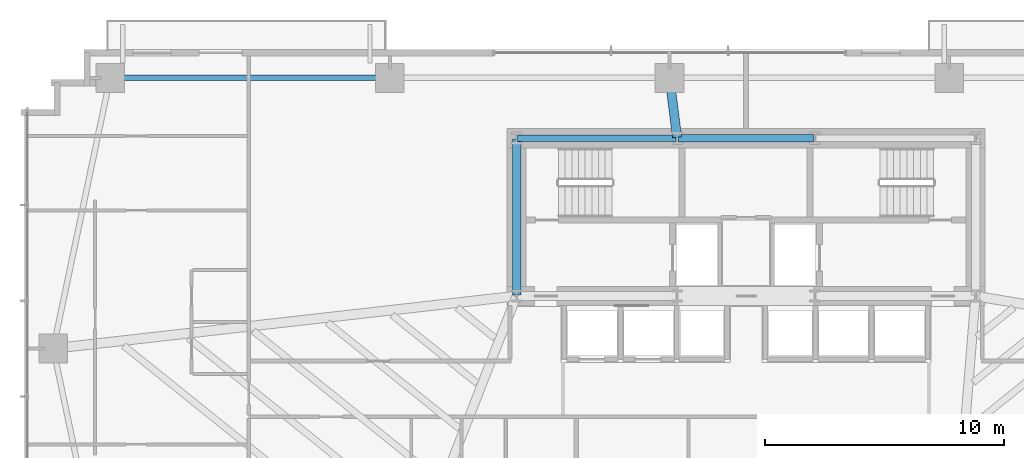
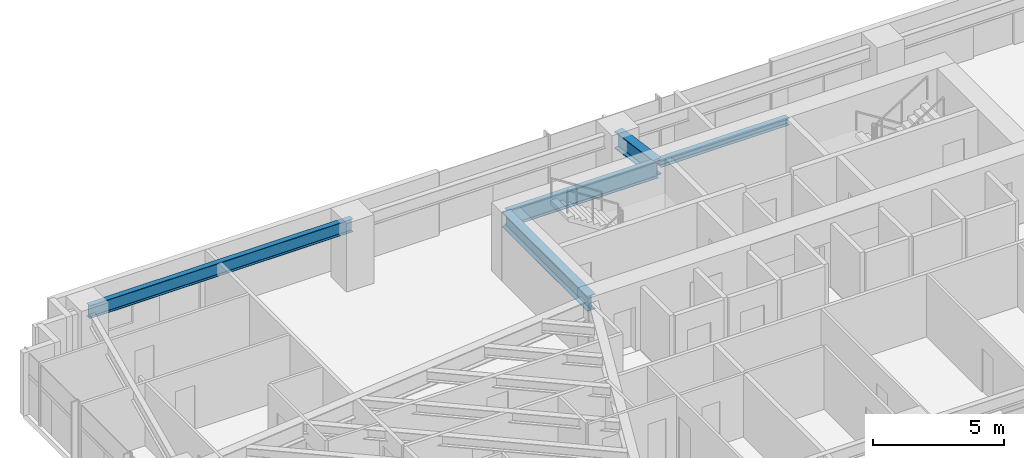
# One storey, part 9 of 25: 5 beams.
"""IFC4 building model written with IfcOpenShell, lengths in metres."""

import ifcopenshell
import ifcopenshell.guid

model = None  # the IFC model being written
_history = None  # IfcOwnerHistory: only IFC2X3 demands one
_inside = {}  # id of a spatial element -> (the spatial element, [elements in it])
_under = {}  # id of a project, library or spatial element -> (it, [spatial elements below it])
_declared = {}  # id of a project -> (the project, [libraries it declares])
_typed = {}  # id of a type object -> (the type object, [elements of that type])
_made_of = {}  # id of a material, layer set ... -> (it, [elements and type objects made of it])


def new_model(schema):
    """Start an empty IFC model of exactly this schema.

    Asked for "IFC4X3", IfcOpenShell would pick the latest addendum, in which some entities
    have other attributes; the version numbers below select the first issue.
    IFC2X3 requires an IfcOwnerHistory on every rooted entity: one is made here for all.
    """
    global model, _history
    if schema == "IFC4X3":
        model = ifcopenshell.file(schema_version=(4, 3, 0, 0))
    else:
        model = ifcopenshell.file(schema=schema)
    _inside.clear()
    _under.clear()
    _declared.clear()
    _typed.clear()
    _made_of.clear()
    _history = None
    if model.schema == "IFC2X3":
        org = make("IfcOrganization", Name="unknown")
        user = make(
            "IfcPersonAndOrganization",
            ThePerson=make("IfcPerson", FamilyName="unknown"),
            TheOrganization=org,
        )
        app = make(
            "IfcApplication",
            ApplicationDeveloper=org,
            Version="unknown",
            ApplicationFullName="unknown",
            ApplicationIdentifier="unknown",
        )
        _history = make(
            "IfcOwnerHistory",
            OwningUser=user,
            OwningApplication=app,
            ChangeAction="ADDED",
            CreationDate=0,
        )
    return model


def make(cls, **values):
    """One entity of the class cls with the attributes given. An attribute that is None is left unset."""
    return model.create_entity(
        cls, **{name: value for name, value in values.items() if value is not None}
    )


def rooted(cls, **values):
    """An entity with a GlobalId (a new one), such as an element, a storey or a relation."""
    return make(cls, GlobalId=ifcopenshell.guid.new(), OwnerHistory=_history, **values)


def si_unit(unit_type, name, prefix=None):
    """IfcSIUnit, for example si_unit("LENGTHUNIT", "METRE", prefix="MILLI")."""
    return make("IfcSIUnit", UnitType=unit_type, Prefix=prefix, Name=name)


def assignment(units):
    """IfcUnitAssignment: the units of a project."""
    return None if units is None else make("IfcUnitAssignment", Units=units)


def point(xyz):
    """IfcCartesianPoint."""
    return None if xyz is None else make("IfcCartesianPoint", Coordinates=xyz)


def direction(xyz):
    """IfcDirection."""
    return None if xyz is None else make("IfcDirection", DirectionRatios=xyz)


def frame(location, z_axis=None, x_axis=None):
    """IfcAxis2Placement3D, a coordinate frame: its origin and axes. An axis left out is left unset."""
    return make(
        "IfcAxis2Placement3D",
        Location=point(location),
        Axis=direction(z_axis),
        RefDirection=direction(x_axis),
    )


def frame_2d(location, x_axis=None):
    """IfcAxis2Placement2D, a coordinate frame in the plane: its origin and x axis."""
    return make(
        "IfcAxis2Placement2D", Location=point(location), RefDirection=direction(x_axis)
    )


def origin():
    """The frame at (0, 0, 0) with its axes left unset."""
    return frame((0.0, 0.0, 0.0))


def origin_2d():
    """The frame at (0, 0) in the plane with its x axis left unset."""
    return frame_2d((0.0, 0.0))


def place(relative_to, where):
    """IfcLocalPlacement: puts the frame where relative to a parent placement (None: the world)."""
    return make(
        "IfcLocalPlacement", PlacementRelTo=relative_to, RelativePlacement=where
    )


def context(
    kind, dimensions, precision=None, world=None, true_north=None, identifier=None
):
    """IfcGeometricRepresentationContext, for example the 3D "Model" context."""
    return make(
        "IfcGeometricRepresentationContext",
        ContextIdentifier=identifier,
        ContextType=kind,
        CoordinateSpaceDimension=dimensions,
        Precision=precision,
        WorldCoordinateSystem=world,
        TrueNorth=true_north,
    )


def subcontext(parent, identifier, kind, view, scale=None):
    """IfcGeometricRepresentationSubContext, for example "Body" below "Model"."""
    return make(
        "IfcGeometricRepresentationSubContext",
        ContextIdentifier=identifier,
        ContextType=kind,
        ParentContext=parent,
        TargetScale=scale,
        TargetView=view,
    )


def project(units=None, contexts=None):
    """IfcProject with its units and contexts."""
    return rooted(
        "IfcProject",
        Name="project",
        RepresentationContexts=contexts,
        UnitsInContext=assignment(units),
    )


def spatial(cls, under=None, at=None, **own):
    """A site, building, storey or space (cls), placed at a placement, below another one or the project."""
    s = rooted(cls, ObjectPlacement=at, **own)
    if under is not None:
        _under.setdefault(under.id(), (under, []))[1].append(s)
    return s


def profile(cls, at=None, kind="AREA", **sizes):
    """A parametric profile (cls). Its sizes go by their IFC names, for example OverallWidth=200.0."""
    return make(cls, ProfileType=kind, Position=at, **sizes)


def i_section(**sizes):
    """IfcIShapeProfileDef."""
    return profile("IfcIShapeProfileDef", **sizes)


def extrude(swept, where, along, depth):
    """IfcExtrudedAreaSolid: the profile swept, set in the frame where, extruded along a direction by depth."""
    return make(
        "IfcExtrudedAreaSolid",
        SweptArea=swept,
        Position=where,
        ExtrudedDirection=direction(along),
        Depth=depth,
    )


def shape(context_of_items, identifier, shape_type, items):
    """IfcShapeRepresentation: the items that make up one representation, for example the "Body"."""
    return make(
        "IfcShapeRepresentation",
        ContextOfItems=context_of_items,
        RepresentationIdentifier=identifier,
        RepresentationType=shape_type,
        Items=items,
    )


def source(mapping_origin, context_of_items, identifier, shape_type, items):
    """IfcRepresentationMap: a shape defined once, which mapped items show again and again."""
    return make(
        "IfcRepresentationMap",
        MappingOrigin=mapping_origin,
        MappedRepresentation=shape(context_of_items, identifier, shape_type, items),
    )


def transform(
    local_origin,
    x_axis=None,
    y_axis=None,
    z_axis=None,
    scale=None,
    scale2=None,
    scale3=None,
    uniform=True,
):
    """IfcCartesianTransformationOperator3D, or its non-uniform kind. x_axis, y_axis, z_axis: its Axis1, 2, 3."""
    if uniform:
        return make(
            "IfcCartesianTransformationOperator3D",
            Axis1=direction(x_axis),
            Axis2=direction(y_axis),
            LocalOrigin=point(local_origin),
            Scale=scale,
            Axis3=direction(z_axis),
        )
    return make(
        "IfcCartesianTransformationOperator3DnonUniform",
        Axis1=direction(x_axis),
        Axis2=direction(y_axis),
        LocalOrigin=point(local_origin),
        Scale=scale,
        Axis3=direction(z_axis),
        Scale2=scale2,
        Scale3=scale3,
    )


def mapped(mapping_source, mapping_target):
    """IfcMappedItem: shows the shape of a source again, moved by a transform."""
    return make(
        "IfcMappedItem", MappingSource=mapping_source, MappingTarget=mapping_target
    )


def material(Name=None, Category=None):
    """IfcMaterial."""
    return make("IfcMaterial", Name=Name, Category=Category)


def material_profile(
    of_material, cross_section, Name=None, Category=None, Priority=None
):
    """IfcMaterialProfile: a cross section and its material."""
    return make(
        "IfcMaterialProfile",
        Name=Name,
        Material=of_material,
        Profile=cross_section,
        Priority=Priority,
        Category=Category,
    )


def profile_set(profiles, Name=None, composite=None):
    """IfcMaterialProfileSet."""
    return make(
        "IfcMaterialProfileSet",
        Name=Name,
        MaterialProfiles=profiles,
        CompositeProfile=composite,
    )


def made_of(thing, what):
    """Note that an element or type object is made of a material, layer set ...; save() writes the relation."""
    if what is not None:
        _made_of.setdefault(what.id(), (what, []))[1].append(thing)
    return thing


def type_object(cls, material=None, **own):
    """A type object (cls), such as IfcWallType, which elements share."""
    return made_of(rooted(cls, **own), material)


def type_shapes(of_type, sources):
    """Give a type object the sources (RepresentationMaps) that its elements show as mapped items."""
    of_type.RepresentationMaps = sources


def element(
    cls,
    number,
    at=None,
    inside=None,
    cuts=None,
    type_object=None,
    material=None,
    context=None,
    identifier="Body",
    shape_type=None,
    held_by="IfcProductDefinitionShape",
    body=None,
    shapes=None,
    **own,
):
    """One element of the class cls, such as IfcWall. Its Tag is "e" and its number.

    at: its placement. inside: the storey or other place that contains it. cuts: it is an
    opening in that element (IfcRelVoidsElement). A single representation is given by context,
    identifier, shape_type and body (its items); several are given by shapes. held_by: the class
    of the entity that holds the representations. save() writes the other relations.
    """
    e = rooted(cls, Tag="e%d" % number, ObjectPlacement=at, **own)
    if body is not None:
        shapes = [shape(context, identifier, shape_type, body)]
    if shapes is not None:
        e.Representation = make(held_by, Representations=shapes)
    if inside is not None:
        _inside.setdefault(inside.id(), (inside, []))[1].append(e)
    if cuts is not None:
        rooted(
            "IfcRelVoidsElement", RelatingBuildingElement=cuts, RelatedOpeningElement=e
        )
    if type_object is not None:
        _typed.setdefault(type_object.id(), (type_object, []))[1].append(e)
    return made_of(e, material)


def aggregate(whole, parts):
    """IfcRelAggregates: a whole, such as a stair, and the parts it consists of."""
    return rooted("IfcRelAggregates", RelatingObject=whole, RelatedObjects=parts)


def save(model, path):
    """Write the relations noted so far, then the file.

    IfcRelAggregates (storeys below a building ...), IfcRelContainedInSpatialStructure (elements
    in a storey), IfcRelDefinesByType, IfcRelAssociatesMaterial and IfcRelDeclares: one each for
    every whole, place, type object, material and project.
    """
    for whole, parts in _under.values():
        aggregate(whole, parts)
    for where, things in _inside.values():
        rooted(
            "IfcRelContainedInSpatialStructure",
            RelatedElements=things,
            RelatingStructure=where,
        )
    for kind, things in _typed.values():
        rooted("IfcRelDefinesByType", RelatedObjects=things, RelatingType=kind)
    for what, things in _made_of.values():
        rooted("IfcRelAssociatesMaterial", RelatedObjects=things, RelatingMaterial=what)
    for by, libraries in _declared.values():
        rooted("IfcRelDeclares", RelatingContext=by, RelatedDefinitions=libraries)
    model.write(path)


model = new_model("IFC4")

# Units and contexts
model_context = context("Model", 3, precision=1e-05, world=origin(), true_north=direction((0.0, 1.0)))
body_context = subcontext(model_context, "Body", "Model", "MODEL_VIEW")
ifc_project = project(units=[si_unit("LENGTHUNIT", "METRE"), si_unit("AREAUNIT", "SQUARE_METRE"), si_unit("VOLUMEUNIT", "CUBIC_METRE"), si_unit("PLANEANGLEUNIT", "RADIAN"), si_unit("MASSUNIT", "GRAM", prefix="KILO")], contexts=[model_context])

# Site, building, storey
site_placement = place(None, origin())
site = spatial("IfcSite", under=ifc_project, at=site_placement, CompositionType="ELEMENT")
building_placement = place(site_placement, origin())
building = spatial("IfcBuilding", under=site, at=building_placement, Name="Astriad Promenade Condominiums", CompositionType="ELEMENT")
storey_placement = place(building_placement, frame((0.0, 0.0, 26.199951171875)))
storey = spatial("IfcBuildingStorey", under=building, at=storey_placement, Name="L06", CompositionType="ELEMENT", Elevation=26.199951171875)

# Beams
ifc_material = material(Name="Steel ASTM A992 Grade 50", Category="steel")
ifc_material_profile_1 = material_profile(ifc_material, i_section(OverallWidth=0.267822265625, OverallDepth=0.76953125, WebThickness=0.015625, FlangeThickness=0.025390625, FilletRadius=0.021484375, at=origin_2d()), Name="W30X132")
ifc_profile_set_1 = profile_set([ifc_material_profile_1], Name="Steel ASTM A992 Grade 50")
beam_type_1 = type_object("IfcBeamType", Name="STEEL FLOOR GIRDER W30X132", PredefinedType="BEAM", material=ifc_profile_set_1)
shared_shape_1 = source(origin(), body_context, "Body", "SweptSolid", [
    extrude(i_section(OverallWidth=0.267822265625, OverallDepth=0.76953125, WebThickness=0.015625, FlangeThickness=0.025390625, FilletRadius=0.021484375, at=origin_2d()), origin(), (0.0, 0.0, 1.0), 6.64013671875),
])
type_shapes(beam_type_1, [shared_shape_1])
beam_1_placement = place(storey_placement, frame((26.43994140625, 24.0, 2.55517578125), z_axis=(1.0, 0.0, 0.0), x_axis=(0.0, 1.0, 0.0)))
element("IfcBeam", 1, at=beam_1_placement, inside=storey, type_object=beam_type_1, Name="Core Ring Beam CG-N1-L06", PredefinedType="BEAM", context=body_context, shape_type="MappedRepresentation", body=[
    mapped(shared_shape_1, transform((0.0, 0.0, 0.0), scale=1.0)),
])
ifc_material_profile_2 = material_profile(ifc_material, i_section(OverallWidth=0.3046875, OverallDepth=0.307861328125, WebThickness=0.010009765625, FlangeThickness=0.015380859375, FilletRadius=0.01513671875, at=origin_2d()), Name="W12X65")
ifc_profile_set_2 = profile_set([ifc_material_profile_2], Name="Steel ASTM A992 Grade 50")
beam_type_2 = type_object("IfcBeamType", Name="STEEL OPENING LINTEL W12X65", PredefinedType="LINTEL", material=ifc_profile_set_2)
shared_shape_2 = source(origin(), body_context, "Body", "SweptSolid", [
    extrude(i_section(OverallWidth=0.3046875, OverallDepth=0.307861328125, WebThickness=0.010009765625, FlangeThickness=0.015380859375, FilletRadius=0.01513671875, at=origin_2d()), origin(), (0.0, 0.0, 1.0), 5.68017578125),
])
type_shapes(beam_type_2, [shared_shape_2])
beam_2_placement = place(storey_placement, frame((33.159912109375, 24.0, 2.7861328125), z_axis=(1.0, 0.0, 0.0), x_axis=(0.0, 1.0, 0.0)))
element("IfcBeam", 2, at=beam_2_placement, inside=storey, type_object=beam_type_2, Name="Core Ring Beam CG-N2-L06", PredefinedType="LINTEL", context=body_context, shape_type="MappedRepresentation", body=[
    mapped(shared_shape_2, transform((0.0, 0.0, 0.0), scale=1.0)),
])
ifc_material_profile_3 = material_profile(ifc_material, i_section(OverallWidth=0.35791015625, OverallDepth=0.706298828125, WebThickness=0.018310546875, FlangeThickness=0.0302734375, FilletRadius=0.020263671875, at=origin_2d()), Name="W27X178")
ifc_profile_set_3 = profile_set([ifc_material_profile_3], Name="Steel ASTM A992 Grade 50")
beam_type_3 = type_object("IfcBeamType", Name="STEEL FLOOR GIRDER W27X178", PredefinedType="BEAM", material=ifc_profile_set_3)
shared_shape_3 = source(origin(), body_context, "Body", "SweptSolid", [
    extrude(i_section(OverallWidth=0.35791015625, OverallDepth=0.706298828125, WebThickness=0.018310546875, FlangeThickness=0.0302734375, FilletRadius=0.020263671875, at=origin_2d()), origin(), (0.0, 0.0, 1.0), 6.52001953125),
])
type_shapes(beam_type_3, [shared_shape_3])
beam_3_placement = place(storey_placement, frame((26.39990234375, 17.43994140625, 2.5869140625), z_axis=(0.0, 1.0, 0.0), x_axis=(-1.0, 0.0, 0.0)))
element("IfcBeam", 3, at=beam_3_placement, inside=storey, type_object=beam_type_3, Name="Core Ring Beam CG-W1-L06", PredefinedType="BEAM", context=body_context, shape_type="MappedRepresentation", body=[
    mapped(shared_shape_3, transform((0.0, 0.0, 0.0), scale=1.0)),
])
ifc_material_profile_4 = material_profile(ifc_material, i_section(OverallWidth=0.22900390625, OverallDepth=0.612060546875, WebThickness=0.011962890625, FlangeThickness=0.01953125, FilletRadius=0.017822265625, at=origin_2d()), Name="W24X84")
ifc_profile_set_4 = profile_set([ifc_material_profile_4], Name="Steel ASTM A992 Grade 50")
beam_type_4 = type_object("IfcBeamType", Name="STEEL SPANDREL BEAM W24X84", PredefinedType="SPANDREL", material=ifc_profile_set_4)
shared_shape_4 = source(origin(), body_context, "Body", "SweptSolid", [
    extrude(i_section(OverallWidth=0.22900390625, OverallDepth=0.612060546875, WebThickness=0.011962890625, FlangeThickness=0.01953125, FilletRadius=0.017822265625, at=origin_2d()), origin(), (0.0, 0.0, 1.0), 11.6201171875),
])
type_shapes(beam_type_4, [shared_shape_4])
beam_4_placement = place(storey_placement, frame((21.06005859375, 26.52001953125, 2.634033203125), z_axis=(-1.0, 0.0, 0.0), x_axis=(0.0, -1.0, 0.0)))
element("IfcBeam", 4, at=beam_4_placement, inside=storey, type_object=beam_type_4, Name="Perimeter Spandrel Beam SP-N1-L06", PredefinedType="SPANDREL", context=body_context, shape_type="MappedRepresentation", body=[
    mapped(shared_shape_4, transform((0.0, 0.0, 0.0), scale=1.0)),
])
ifc_material_profile_5 = material_profile(ifc_material, i_section(OverallWidth=0.3837890625, OverallDepth=0.785888671875, WebThickness=0.019775390625, FlangeThickness=0.033447265625, FilletRadius=0.021484375, at=origin_2d()), Name="W30X211")
ifc_profile_set_5 = profile_set([ifc_material_profile_5], Name="Steel ASTM A992 Grade 50")
beam_type_5 = type_object("IfcBeamType", Name="STEEL FLOOR GIRDER W30X211", PredefinedType="BEAM", material=ifc_profile_set_5)
shared_shape_5 = source(origin(), body_context, "Body", "SweptSolid", [
    extrude(i_section(OverallWidth=0.3837890625, OverallDepth=0.785888671875, WebThickness=0.019775390625, FlangeThickness=0.033447265625, FilletRadius=0.021484375, at=origin_2d()), origin(), (0.0, 0.0, 1.0), 2.4599609375),
])
type_shapes(beam_type_5, [shared_shape_5])
beam_5_placement = place(storey_placement, frame((32.804931640625, 26.480224609375, 2.547119140625), z_axis=(0.126037648346, -0.992025458947, 0.0), x_axis=(0.992025458947, 0.126037648346, 0.0)))
element("IfcBeam", 5, at=beam_5_placement, inside=storey, type_object=beam_type_5, Name="Primary Floor Girder PG-NC-L06", PredefinedType="BEAM", context=body_context, shape_type="MappedRepresentation", body=[
    mapped(shared_shape_5, transform((0.0, 0.0, 0.0), scale=1.0)),
])

save(model, "model.ifc")
